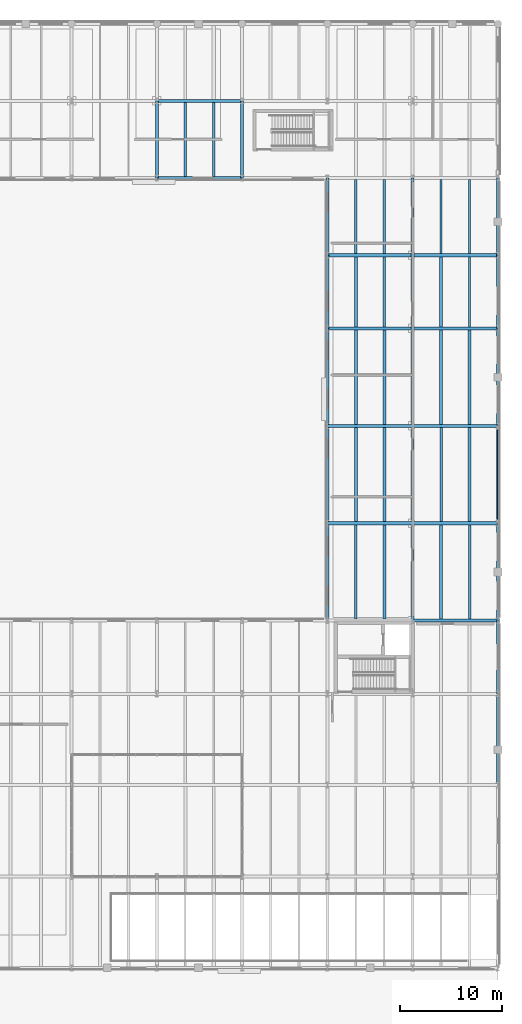
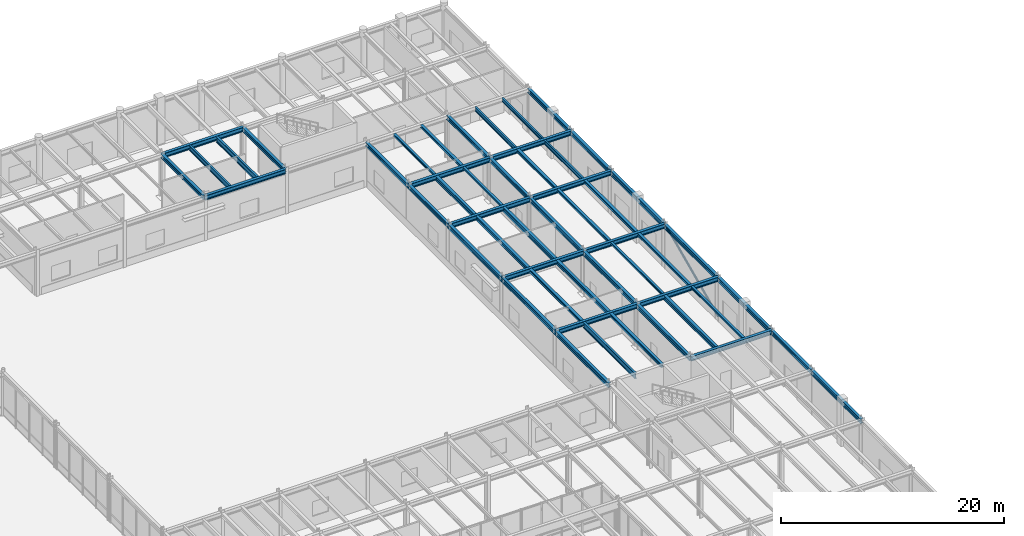
# One storey, part 30 of 64: 52 beams, 1 member.
"""IFC4 building model written with IfcOpenShell, lengths in metres."""

from ifc_helpers import new_model, si_unit, direction, frame, origin, origin_2d, place, context, subcontext, project, spatial, hollow_circle, i_section, extrude, material, material_profile, profile_set, type_object, element, save


model = new_model("IFC4")

# Units and contexts
model_context = context("Model", 3, precision=1e-05, world=origin(), true_north=direction((0.0, 1.0)))
body_context = subcontext(model_context, "Body", "Model", "MODEL_VIEW")
ifc_project = project(units=[si_unit("LENGTHUNIT", "METRE"), si_unit("AREAUNIT", "SQUARE_METRE"), si_unit("VOLUMEUNIT", "CUBIC_METRE"), si_unit("PLANEANGLEUNIT", "RADIAN"), si_unit("MASSUNIT", "GRAM", prefix="KILO")], contexts=[model_context])

# Site, building, storey
site_placement = place(None, origin())
site = spatial("IfcSite", under=ifc_project, at=site_placement, CompositionType="ELEMENT")
building_placement = place(site_placement, origin())
building = spatial("IfcBuilding", under=site, at=building_placement, Name="Montealbar Specialist Clinic", CompositionType="ELEMENT")
storey_placement = place(building_placement, origin())
storey = spatial("IfcBuildingStorey", under=building, at=storey_placement, Name="L00", CompositionType="ELEMENT", Elevation=0.0)

# Beams
ifc_material = material(Name="Steel S355", Category="steel")
ifc_material_profile_1 = material_profile(ifc_material, i_section(OverallWidth=0.300048828125, OverallDepth=0.449951171875, WebThickness=0.013916015625, FlangeThickness=0.02587890625, FilletRadius=0.027099609375, at=origin_2d()), Name="HEB 450", Category="steel")
ifc_profile_set_1 = profile_set([ifc_material_profile_1], Name="Steel S355")
beam_type_1 = type_object("IfcBeamType", Name="BM-GIRD-HEB450", PredefinedType="BEAM", material=ifc_profile_set_1)
for number, where, z_axis, x_axis, name in (
    (1, (128.39990234375, 95.800048828125, 4.5849609375), (0.0, 1.0, 0.0), (-1.0, 0.0, 0.0), "Beam GY-L00-1284-958-1034"),
    (2, (136.800048828125, 95.800048828125, 4.5849609375), (0.0, 1.0, 0.0), (-1.0, 0.0, 0.0), "Beam GY-L00-1368-958-1034"),
):
    element("IfcBeam", number, at=place(storey_placement, frame(where, z_axis=z_axis, x_axis=x_axis)), inside=storey, type_object=beam_type_1, Name=name, PredefinedType="BEAM", context=body_context, shape_type="SweptSolid", body=[
        extrude(i_section(OverallWidth=0.300048828125, OverallDepth=0.449951171875, WebThickness=0.013916015625, FlangeThickness=0.02587890625, FilletRadius=0.027099609375, at=origin_2d()), origin(), (0.0, 0.0, 1.0), 7.599853515625),
    ])
beam_1_placement = place(storey_placement, frame((153.60009765625, 81.0, 4.5849609375), z_axis=(0.0, 1.0, 0.0), x_axis=(-1.0, 0.0, 0.0)))
element("IfcBeam", 3, at=beam_1_placement, inside=storey, type_object=beam_type_1, Name="Beam GY-L00-1536-810-882", PredefinedType="BEAM", context=body_context, shape_type="SweptSolid", body=[
    extrude(i_section(OverallWidth=0.300048828125, OverallDepth=0.449951171875, WebThickness=0.013916015625, FlangeThickness=0.02587890625, FilletRadius=0.027099609375, at=origin_2d()), origin(), (0.0, 0.0, 1.0), 7.199951171875),
])
ifc_material_profile_2 = material_profile(ifc_material, i_section(OverallWidth=0.300048828125, OverallDepth=0.449951171875, WebThickness=0.013916015625, FlangeThickness=0.02587890625, FilletRadius=0.027099609375, at=origin_2d()), Name="HEB 450", Category="steel")
ifc_profile_set_2 = profile_set([ifc_material_profile_2], Name="Steel S355")
beam_type_2 = type_object("IfcBeamType", Name="BM-GIRD-HEB450-EXT", PredefinedType="BEAM", material=ifc_profile_set_2)
beam_2_placement = place(storey_placement, frame((145.199951171875, 81.0, 4.5849609375), z_axis=(0.0, 1.0, 0.0), x_axis=(-1.0, 0.0, 0.0)))
element("IfcBeam", 4, at=beam_2_placement, inside=storey, type_object=beam_type_2, Name="Beam GY-L00-1452-810-882", PredefinedType="BEAM", context=body_context, shape_type="SweptSolid", body=[
    extrude(i_section(OverallWidth=0.300048828125, OverallDepth=0.449951171875, WebThickness=0.013916015625, FlangeThickness=0.02587890625, FilletRadius=0.027099609375, at=origin_2d()), origin(), (0.0, 0.0, 1.0), 7.199951171875),
])
for number, where, z_axis, x_axis, name in (
    (5, (145.199951171875, 88.199951171875, 4.5849609375), (0.0, 1.0, 0.0), (-1.0, 0.0, 0.0), "Beam GY-L00-1452-882-958"),
    (6, (153.60009765625, 88.199951171875, 4.5849609375), (0.0, 1.0, 0.0), (-1.0, 0.0, 0.0), "Beam GY-L00-1536-882-958"),
):
    element("IfcBeam", number, at=place(storey_placement, frame(where, z_axis=z_axis, x_axis=x_axis)), inside=storey, type_object=beam_type_2, Name=name, PredefinedType="BEAM", context=body_context, shape_type="SweptSolid", body=[
        extrude(i_section(OverallWidth=0.300048828125, OverallDepth=0.449951171875, WebThickness=0.013916015625, FlangeThickness=0.02587890625, FilletRadius=0.027099609375, at=origin_2d()), origin(), (0.0, 0.0, 1.0), 7.60009765625),
    ])
for number, where, z_axis, x_axis, name in (
    (7, (162.0, 45.0, 4.5849609375), (0.0, 1.0, 0.0), (-1.0, 0.0, 0.0), "Beam GY-L00-1620-450-522"),
    (8, (162.0, 81.0, 4.5849609375), (0.0, 1.0, 0.0), (-1.0, 0.0, 0.0), "Beam GY-L00-1620-810-882"),
):
    element("IfcBeam", number, at=place(storey_placement, frame(where, z_axis=z_axis, x_axis=x_axis)), inside=storey, type_object=beam_type_2, Name=name, PredefinedType="BEAM", context=body_context, shape_type="SweptSolid", body=[
        extrude(i_section(OverallWidth=0.300048828125, OverallDepth=0.449951171875, WebThickness=0.013916015625, FlangeThickness=0.02587890625, FilletRadius=0.027099609375, at=origin_2d()), origin(), (0.0, 0.0, 1.0), 7.199951171875),
    ])
beam_3_placement = place(storey_placement, frame((162.0, 88.199951171875, 4.5849609375), z_axis=(0.0, 1.0, 0.0), x_axis=(-1.0, 0.0, 0.0)))
element("IfcBeam", 9, at=beam_3_placement, inside=storey, type_object=beam_type_2, Name="Beam GY-L00-1620-882-958", PredefinedType="BEAM", context=body_context, shape_type="SweptSolid", body=[
    extrude(i_section(OverallWidth=0.300048828125, OverallDepth=0.449951171875, WebThickness=0.013916015625, FlangeThickness=0.02587890625, FilletRadius=0.027099609375, at=origin_2d()), origin(), (0.0, 0.0, 1.0), 7.60009765625),
])
ifc_material_profile_3 = material_profile(ifc_material, i_section(OverallWidth=0.300048828125, OverallDepth=0.5, WebThickness=0.014404296875, FlangeThickness=0.028076171875, FilletRadius=0.027099609375, at=origin_2d()), Name="HEB 500", Category="steel")
ifc_profile_set_3 = profile_set([ifc_material_profile_3], Name="Steel S355")
beam_type_3 = type_object("IfcBeamType", Name="BM-GIRD-HEB500", PredefinedType="BEAM", material=ifc_profile_set_3)
beam_4_placement = place(storey_placement, frame((153.60009765625, 52.199951171875, 4.56005859375), z_axis=(1.0, 0.0, 0.0), x_axis=(0.0, 1.0, 0.0)))
element("IfcBeam", 10, at=beam_4_placement, inside=storey, type_object=beam_type_3, Name="Beam GX-L00-1536-1620-522", PredefinedType="BEAM", context=body_context, shape_type="SweptSolid", body=[
    extrude(i_section(OverallWidth=0.300048828125, OverallDepth=0.5, WebThickness=0.014404296875, FlangeThickness=0.028076171875, FilletRadius=0.027099609375, at=origin_2d()), origin(), (0.0, 0.0, 1.0), 8.39990234375),
])
beam_5_placement = place(storey_placement, frame((145.199951171875, 61.800048828125, 4.56005859375), z_axis=(1.0, 0.0, 0.0), x_axis=(0.0, 1.0, 0.0)))
element("IfcBeam", 11, at=beam_5_placement, inside=storey, type_object=beam_type_3, Name="Beam GX-L00-1452-1536-618", PredefinedType="BEAM", context=body_context, shape_type="SweptSolid", body=[
    extrude(i_section(OverallWidth=0.300048828125, OverallDepth=0.5, WebThickness=0.014404296875, FlangeThickness=0.028076171875, FilletRadius=0.027099609375, at=origin_2d()), origin(), (0.0, 0.0, 1.0), 8.400146484375),
])
beam_6_placement = place(storey_placement, frame((153.60009765625, 61.800048828125, 4.56005859375), z_axis=(1.0, 0.0, 0.0), x_axis=(0.0, 1.0, 0.0)))
element("IfcBeam", 12, at=beam_6_placement, inside=storey, type_object=beam_type_3, Name="Beam GX-L00-1536-1620-618", PredefinedType="BEAM", context=body_context, shape_type="SweptSolid", body=[
    extrude(i_section(OverallWidth=0.300048828125, OverallDepth=0.5, WebThickness=0.014404296875, FlangeThickness=0.028076171875, FilletRadius=0.027099609375, at=origin_2d()), origin(), (0.0, 0.0, 1.0), 8.39990234375),
])
beam_7_placement = place(storey_placement, frame((145.199951171875, 71.39990234375, 4.56005859375), z_axis=(1.0, 0.0, 0.0), x_axis=(0.0, 1.0, 0.0)))
element("IfcBeam", 13, at=beam_7_placement, inside=storey, type_object=beam_type_3, Name="Beam GX-L00-1452-1536-714", PredefinedType="BEAM", context=body_context, shape_type="SweptSolid", body=[
    extrude(i_section(OverallWidth=0.300048828125, OverallDepth=0.5, WebThickness=0.014404296875, FlangeThickness=0.028076171875, FilletRadius=0.027099609375, at=origin_2d()), origin(), (0.0, 0.0, 1.0), 8.400146484375),
])
beam_8_placement = place(storey_placement, frame((153.60009765625, 71.39990234375, 4.56005859375), z_axis=(1.0, 0.0, 0.0), x_axis=(0.0, 1.0, 0.0)))
element("IfcBeam", 14, at=beam_8_placement, inside=storey, type_object=beam_type_3, Name="Beam GX-L00-1536-1620-714", PredefinedType="BEAM", context=body_context, shape_type="SweptSolid", body=[
    extrude(i_section(OverallWidth=0.300048828125, OverallDepth=0.5, WebThickness=0.014404296875, FlangeThickness=0.028076171875, FilletRadius=0.027099609375, at=origin_2d()), origin(), (0.0, 0.0, 1.0), 8.39990234375),
])
beam_9_placement = place(storey_placement, frame((145.199951171875, 81.0, 4.56005859375), z_axis=(1.0, 0.0, 0.0), x_axis=(0.0, 1.0, 0.0)))
element("IfcBeam", 15, at=beam_9_placement, inside=storey, type_object=beam_type_3, Name="Beam GX-L00-1452-1536-810", PredefinedType="BEAM", context=body_context, shape_type="SweptSolid", body=[
    extrude(i_section(OverallWidth=0.300048828125, OverallDepth=0.5, WebThickness=0.014404296875, FlangeThickness=0.028076171875, FilletRadius=0.027099609375, at=origin_2d()), origin(), (0.0, 0.0, 1.0), 8.400146484375),
])
beam_10_placement = place(storey_placement, frame((153.60009765625, 81.0, 4.56005859375), z_axis=(1.0, 0.0, 0.0), x_axis=(0.0, 1.0, 0.0)))
element("IfcBeam", 16, at=beam_10_placement, inside=storey, type_object=beam_type_3, Name="Beam GX-L00-1536-1620-810", PredefinedType="BEAM", context=body_context, shape_type="SweptSolid", body=[
    extrude(i_section(OverallWidth=0.300048828125, OverallDepth=0.5, WebThickness=0.014404296875, FlangeThickness=0.028076171875, FilletRadius=0.027099609375, at=origin_2d()), origin(), (0.0, 0.0, 1.0), 8.39990234375),
])
beam_11_placement = place(storey_placement, frame((128.39990234375, 103.39990234375, 4.56005859375), z_axis=(1.0, 0.0, 0.0), x_axis=(0.0, 1.0, 0.0)))
element("IfcBeam", 17, at=beam_11_placement, inside=storey, type_object=beam_type_3, Name="Beam GX-L00-1284-1368-1034", PredefinedType="BEAM", context=body_context, shape_type="SweptSolid", body=[
    extrude(i_section(OverallWidth=0.300048828125, OverallDepth=0.5, WebThickness=0.014404296875, FlangeThickness=0.028076171875, FilletRadius=0.027099609375, at=origin_2d()), origin(), (0.0, 0.0, 1.0), 8.400146484375),
])
beam_12_placement = place(storey_placement, frame((153.60009765625, 52.199951171875, 4.56005859375), z_axis=(0.0, 1.0, 0.0), x_axis=(-1.0, 0.0, 0.0)))
element("IfcBeam", 18, at=beam_12_placement, inside=storey, type_object=beam_type_3, Name="Beam GY-L00-1536-522-618", PredefinedType="BEAM", context=body_context, shape_type="SweptSolid", body=[
    extrude(i_section(OverallWidth=0.300048828125, OverallDepth=0.5, WebThickness=0.014404296875, FlangeThickness=0.028076171875, FilletRadius=0.027099609375, at=origin_2d()), origin(), (0.0, 0.0, 1.0), 9.60009765625),
])
beam_13_placement = place(storey_placement, frame((153.60009765625, 61.800048828125, 4.56005859375), z_axis=(0.0, 1.0, 0.0), x_axis=(-1.0, 0.0, 0.0)))
element("IfcBeam", 19, at=beam_13_placement, inside=storey, type_object=beam_type_3, Name="Beam GY-L00-1536-618-714", PredefinedType="BEAM", context=body_context, shape_type="SweptSolid", body=[
    extrude(i_section(OverallWidth=0.300048828125, OverallDepth=0.5, WebThickness=0.014404296875, FlangeThickness=0.028076171875, FilletRadius=0.027099609375, at=origin_2d()), origin(), (0.0, 0.0, 1.0), 9.599853515625),
])
beam_14_placement = place(storey_placement, frame((153.60009765625, 71.39990234375, 4.56005859375), z_axis=(0.0, 1.0, 0.0), x_axis=(-1.0, 0.0, 0.0)))
element("IfcBeam", 20, at=beam_14_placement, inside=storey, type_object=beam_type_3, Name="Beam GY-L00-1536-714-810", PredefinedType="BEAM", context=body_context, shape_type="SweptSolid", body=[
    extrude(i_section(OverallWidth=0.300048828125, OverallDepth=0.5, WebThickness=0.014404296875, FlangeThickness=0.028076171875, FilletRadius=0.027099609375, at=origin_2d()), origin(), (0.0, 0.0, 1.0), 9.60009765625),
])
ifc_material_profile_4 = material_profile(ifc_material, i_section(OverallWidth=0.300048828125, OverallDepth=0.5, WebThickness=0.014404296875, FlangeThickness=0.028076171875, FilletRadius=0.027099609375, at=origin_2d()), Name="HEB 500", Category="steel")
ifc_profile_set_4 = profile_set([ifc_material_profile_4], Name="Steel S355")
beam_type_4 = type_object("IfcBeamType", Name="BM-GIRD-HEB500-EXT", PredefinedType="BEAM", material=ifc_profile_set_4)
beam_15_placement = place(storey_placement, frame((145.199951171875, 88.199951171875, 4.56005859375), z_axis=(1.0, 0.0, 0.0), x_axis=(0.0, 1.0, 0.0)))
element("IfcBeam", 21, at=beam_15_placement, inside=storey, type_object=beam_type_4, Name="Beam GX-L00-1452-1536-882", PredefinedType="BEAM", context=body_context, shape_type="SweptSolid", body=[
    extrude(i_section(OverallWidth=0.300048828125, OverallDepth=0.5, WebThickness=0.014404296875, FlangeThickness=0.028076171875, FilletRadius=0.027099609375, at=origin_2d()), origin(), (0.0, 0.0, 1.0), 8.400146484375),
])
beam_16_placement = place(storey_placement, frame((153.60009765625, 88.199951171875, 4.56005859375), z_axis=(1.0, 0.0, 0.0), x_axis=(0.0, 1.0, 0.0)))
element("IfcBeam", 22, at=beam_16_placement, inside=storey, type_object=beam_type_4, Name="Beam GX-L00-1536-1620-882", PredefinedType="BEAM", context=body_context, shape_type="SweptSolid", body=[
    extrude(i_section(OverallWidth=0.300048828125, OverallDepth=0.5, WebThickness=0.014404296875, FlangeThickness=0.028076171875, FilletRadius=0.027099609375, at=origin_2d()), origin(), (0.0, 0.0, 1.0), 8.39990234375),
])
beam_17_placement = place(storey_placement, frame((128.39990234375, 95.800048828125, 4.56005859375), z_axis=(1.0, 0.0, 0.0), x_axis=(0.0, 1.0, 0.0)))
element("IfcBeam", 23, at=beam_17_placement, inside=storey, type_object=beam_type_4, Name="Beam GX-L00-1284-1368-958", PredefinedType="BEAM", context=body_context, shape_type="SweptSolid", body=[
    extrude(i_section(OverallWidth=0.300048828125, OverallDepth=0.5, WebThickness=0.014404296875, FlangeThickness=0.028076171875, FilletRadius=0.027099609375, at=origin_2d()), origin(), (0.0, 0.0, 1.0), 8.400146484375),
])
beam_18_placement = place(storey_placement, frame((145.199951171875, 52.199951171875, 4.56005859375), z_axis=(0.0, 1.0, 0.0), x_axis=(-1.0, 0.0, 0.0)))
element("IfcBeam", 24, at=beam_18_placement, inside=storey, type_object=beam_type_4, Name="Beam GY-L00-1452-522-618", PredefinedType="BEAM", context=body_context, shape_type="SweptSolid", body=[
    extrude(i_section(OverallWidth=0.300048828125, OverallDepth=0.5, WebThickness=0.014404296875, FlangeThickness=0.028076171875, FilletRadius=0.027099609375, at=origin_2d()), origin(), (0.0, 0.0, 1.0), 9.60009765625),
])
beam_19_placement = place(storey_placement, frame((145.199951171875, 61.800048828125, 4.56005859375), z_axis=(0.0, 1.0, 0.0), x_axis=(-1.0, 0.0, 0.0)))
element("IfcBeam", 25, at=beam_19_placement, inside=storey, type_object=beam_type_4, Name="Beam GY-L00-1452-618-714", PredefinedType="BEAM", context=body_context, shape_type="SweptSolid", body=[
    extrude(i_section(OverallWidth=0.300048828125, OverallDepth=0.5, WebThickness=0.014404296875, FlangeThickness=0.028076171875, FilletRadius=0.027099609375, at=origin_2d()), origin(), (0.0, 0.0, 1.0), 9.599853515625),
])
beam_20_placement = place(storey_placement, frame((145.199951171875, 71.39990234375, 4.56005859375), z_axis=(0.0, 1.0, 0.0), x_axis=(-1.0, 0.0, 0.0)))
element("IfcBeam", 26, at=beam_20_placement, inside=storey, type_object=beam_type_4, Name="Beam GY-L00-1452-714-810", PredefinedType="BEAM", context=body_context, shape_type="SweptSolid", body=[
    extrude(i_section(OverallWidth=0.300048828125, OverallDepth=0.5, WebThickness=0.014404296875, FlangeThickness=0.028076171875, FilletRadius=0.027099609375, at=origin_2d()), origin(), (0.0, 0.0, 1.0), 9.60009765625),
])
beam_21_placement = place(storey_placement, frame((162.0, 36.0, 4.56005859375), z_axis=(0.0, 1.0, 0.0), x_axis=(-1.0, 0.0, 0.0)))
element("IfcBeam", 27, at=beam_21_placement, inside=storey, type_object=beam_type_4, Name="Beam GY-L00-1620-360-450", PredefinedType="BEAM", context=body_context, shape_type="SweptSolid", body=[
    extrude(i_section(OverallWidth=0.300048828125, OverallDepth=0.5, WebThickness=0.014404296875, FlangeThickness=0.028076171875, FilletRadius=0.027099609375, at=origin_2d()), origin(), (0.0, 0.0, 1.0), 9.0),
])
beam_22_placement = place(storey_placement, frame((162.0, 52.199951171875, 4.56005859375), z_axis=(0.0, 1.0, 0.0), x_axis=(-1.0, 0.0, 0.0)))
element("IfcBeam", 28, at=beam_22_placement, inside=storey, type_object=beam_type_4, Name="Beam GY-L00-1620-522-618", PredefinedType="BEAM", context=body_context, shape_type="SweptSolid", body=[
    extrude(i_section(OverallWidth=0.300048828125, OverallDepth=0.5, WebThickness=0.014404296875, FlangeThickness=0.028076171875, FilletRadius=0.027099609375, at=origin_2d()), origin(), (0.0, 0.0, 1.0), 9.60009765625),
])
beam_23_placement = place(storey_placement, frame((162.0, 61.800048828125, 4.56005859375), z_axis=(0.0, 1.0, 0.0), x_axis=(-1.0, 0.0, 0.0)))
element("IfcBeam", 29, at=beam_23_placement, inside=storey, type_object=beam_type_4, Name="Beam GY-L00-1620-618-714", PredefinedType="BEAM", context=body_context, shape_type="SweptSolid", body=[
    extrude(i_section(OverallWidth=0.300048828125, OverallDepth=0.5, WebThickness=0.014404296875, FlangeThickness=0.028076171875, FilletRadius=0.027099609375, at=origin_2d()), origin(), (0.0, 0.0, 1.0), 9.599853515625),
])
beam_24_placement = place(storey_placement, frame((162.0, 71.39990234375, 4.56005859375), z_axis=(0.0, 1.0, 0.0), x_axis=(-1.0, 0.0, 0.0)))
element("IfcBeam", 30, at=beam_24_placement, inside=storey, type_object=beam_type_4, Name="Beam GY-L00-1620-714-810", PredefinedType="BEAM", context=body_context, shape_type="SweptSolid", body=[
    extrude(i_section(OverallWidth=0.300048828125, OverallDepth=0.5, WebThickness=0.014404296875, FlangeThickness=0.028076171875, FilletRadius=0.027099609375, at=origin_2d()), origin(), (0.0, 0.0, 1.0), 9.60009765625),
])
ifc_material_profile_5 = material_profile(ifc_material, i_section(OverallWidth=0.300048828125, OverallDepth=0.35009765625, WebThickness=0.010009765625, FlangeThickness=0.017578125, FilletRadius=0.027099609375, at=origin_2d()), Name="HEA 360", Category="steel")
ifc_profile_set_5 = profile_set([ifc_material_profile_5], Name="Steel S355")
beam_type_5 = type_object("IfcBeamType", Name="BM-JST-HEA360", PredefinedType="JOIST", material=ifc_profile_set_5)
beam_25_placement = place(storey_placement, frame((150.800048828125, 52.35009765625, 4.635009765625), z_axis=(0.0, 1.0, 0.0), x_axis=(-1.0, 0.0, 0.0)))
element("IfcBeam", 31, at=beam_25_placement, inside=storey, type_object=beam_type_5, Name="Beam JST-L00-1508-524-616", PredefinedType="JOIST", context=body_context, shape_type="SweptSolid", body=[
    extrude(i_section(OverallWidth=0.300048828125, OverallDepth=0.35009765625, WebThickness=0.010009765625, FlangeThickness=0.017578125, FilletRadius=0.027099609375, at=origin_2d()), origin(), (0.0, 0.0, 1.0), 9.2998046875),
])
beam_26_placement = place(storey_placement, frame((148.0, 61.949951171875, 4.635009765625), z_axis=(0.0, 1.0, 0.0), x_axis=(-1.0, 0.0, 0.0)))
element("IfcBeam", 32, at=beam_26_placement, inside=storey, type_object=beam_type_5, Name="Beam JST-L00-1480-620-712", PredefinedType="JOIST", context=body_context, shape_type="SweptSolid", body=[
    extrude(i_section(OverallWidth=0.300048828125, OverallDepth=0.35009765625, WebThickness=0.010009765625, FlangeThickness=0.017578125, FilletRadius=0.027099609375, at=origin_2d()), origin(), (0.0, 0.0, 1.0), 9.300048828125),
])
ifc_material_profile_6 = material_profile(ifc_material, i_section(OverallWidth=0.300048828125, OverallDepth=0.43994140625, WebThickness=0.011474609375, FlangeThickness=0.02099609375, FilletRadius=0.027099609375, at=origin_2d()), Name="HEA 450", Category="steel")
ifc_profile_set_6 = profile_set([ifc_material_profile_6], Name="Steel S355")
beam_type_6 = type_object("IfcBeamType", Name="BM-JST-HEA450", PredefinedType="JOIST", material=ifc_profile_set_6)
for number, where, z_axis, x_axis, name in (
    (33, (150.800048828125, 61.949951171875, 4.590087890625), (0.0, 1.0, 0.0), (-1.0, 0.0, 0.0), "Beam JST-L00-1508-620-712"),
    (34, (148.0, 71.550048828125, 4.590087890625), (0.0, 1.0, 0.0), (-1.0, 0.0, 0.0), "Beam JST-L00-1480-716-808"),
):
    element("IfcBeam", number, at=place(storey_placement, frame(where, z_axis=z_axis, x_axis=x_axis)), inside=storey, type_object=beam_type_6, Name=name, PredefinedType="JOIST", context=body_context, shape_type="SweptSolid", body=[
        extrude(i_section(OverallWidth=0.300048828125, OverallDepth=0.43994140625, WebThickness=0.011474609375, FlangeThickness=0.02099609375, FilletRadius=0.027099609375, at=origin_2d()), origin(), (0.0, 0.0, 1.0), 9.300048828125),
    ])
ifc_material_profile_7 = material_profile(ifc_material, i_section(OverallWidth=0.300048828125, OverallDepth=0.489990234375, WebThickness=0.011962890625, FlangeThickness=0.02294921875, FilletRadius=0.027099609375, at=origin_2d()), Name="HEA 500", Category="steel")
ifc_profile_set_7 = profile_set([ifc_material_profile_7], Name="Steel S355")
beam_type_7 = type_object("IfcBeamType", Name="BM-JST-HEA500", PredefinedType="JOIST", material=ifc_profile_set_7)
beam_27_placement = place(storey_placement, frame((150.800048828125, 71.550048828125, 4.56494140625), z_axis=(0.0, 1.0, 0.0), x_axis=(-1.0, 0.0, 0.0)))
element("IfcBeam", 35, at=beam_27_placement, inside=storey, type_object=beam_type_7, Name="Beam JST-L00-1508-716-808", PredefinedType="JOIST", context=body_context, shape_type="SweptSolid", body=[
    extrude(i_section(OverallWidth=0.300048828125, OverallDepth=0.489990234375, WebThickness=0.011962890625, FlangeThickness=0.02294921875, FilletRadius=0.027099609375, at=origin_2d()), origin(), (0.0, 0.0, 1.0), 9.300048828125),
])
beam_28_placement = place(storey_placement, frame((148.0, 81.14990234375, 4.56494140625), z_axis=(0.0, 1.0, 0.0), x_axis=(-1.0, 0.0, 0.0)))
element("IfcBeam", 36, at=beam_28_placement, inside=storey, type_object=beam_type_7, Name="Beam JST-L00-1480-812-880", PredefinedType="JOIST", context=body_context, shape_type="SweptSolid", body=[
    extrude(i_section(OverallWidth=0.300048828125, OverallDepth=0.489990234375, WebThickness=0.011962890625, FlangeThickness=0.02294921875, FilletRadius=0.027099609375, at=origin_2d()), origin(), (0.0, 0.0, 1.0), 6.900146484375),
])
beam_29_placement = place(storey_placement, frame((156.39990234375, 52.35009765625, 4.56494140625), z_axis=(0.0, 1.0, 0.0), x_axis=(-1.0, 0.0, 0.0)))
element("IfcBeam", 37, at=beam_29_placement, inside=storey, type_object=beam_type_7, Name="Beam JST-L00-1564-524-616", PredefinedType="JOIST", context=body_context, shape_type="SweptSolid", body=[
    extrude(i_section(OverallWidth=0.300048828125, OverallDepth=0.489990234375, WebThickness=0.011962890625, FlangeThickness=0.02294921875, FilletRadius=0.027099609375, at=origin_2d()), origin(), (0.0, 0.0, 1.0), 9.2998046875),
])
ifc_material_profile_8 = material_profile(ifc_material, i_section(OverallWidth=0.239990234375, OverallDepth=0.239990234375, WebThickness=0.010009765625, FlangeThickness=0.01708984375, FilletRadius=0.02099609375, at=origin_2d()), Name="HEB 240", Category="steel")
ifc_profile_set_8 = profile_set([ifc_material_profile_8], Name="Steel S355")
beam_type_8 = type_object("IfcBeamType", Name="BM-JST-HEB240", PredefinedType="JOIST", material=ifc_profile_set_8)
beam_30_placement = place(storey_placement, frame((150.800048828125, 81.14990234375, 4.68994140625), z_axis=(0.0, 1.0, 0.0), x_axis=(-1.0, 0.0, 0.0)))
element("IfcBeam", 38, at=beam_30_placement, inside=storey, type_object=beam_type_8, Name="Beam JST-L00-1508-812-880", PredefinedType="JOIST", context=body_context, shape_type="SweptSolid", body=[
    extrude(i_section(OverallWidth=0.239990234375, OverallDepth=0.239990234375, WebThickness=0.010009765625, FlangeThickness=0.01708984375, FilletRadius=0.02099609375, at=origin_2d()), origin(), (0.0, 0.0, 1.0), 6.900146484375),
])
beam_31_placement = place(storey_placement, frame((148.0, 88.35009765625, 4.68994140625), z_axis=(0.0, 1.0, 0.0), x_axis=(-1.0, 0.0, 0.0)))
element("IfcBeam", 39, at=beam_31_placement, inside=storey, type_object=beam_type_8, Name="Beam JST-L00-1480-884-956", PredefinedType="JOIST", context=body_context, shape_type="SweptSolid", body=[
    extrude(i_section(OverallWidth=0.239990234375, OverallDepth=0.239990234375, WebThickness=0.010009765625, FlangeThickness=0.01708984375, FilletRadius=0.02099609375, at=origin_2d()), origin(), (0.0, 0.0, 1.0), 7.2998046875),
])
beam_32_placement = place(storey_placement, frame((159.199951171875, 52.35009765625, 4.68994140625), z_axis=(0.0, 1.0, 0.0), x_axis=(-1.0, 0.0, 0.0)))
element("IfcBeam", 40, at=beam_32_placement, inside=storey, type_object=beam_type_8, Name="Beam JST-L00-1592-524-616", PredefinedType="JOIST", context=body_context, shape_type="SweptSolid", body=[
    extrude(i_section(OverallWidth=0.239990234375, OverallDepth=0.239990234375, WebThickness=0.010009765625, FlangeThickness=0.01708984375, FilletRadius=0.02099609375, at=origin_2d()), origin(), (0.0, 0.0, 1.0), 9.2998046875),
])
beam_33_placement = place(storey_placement, frame((156.39990234375, 61.949951171875, 4.68994140625), z_axis=(0.0, 1.0, 0.0), x_axis=(-1.0, 0.0, 0.0)))
element("IfcBeam", 41, at=beam_33_placement, inside=storey, type_object=beam_type_8, Name="Beam JST-L00-1564-620-712", PredefinedType="JOIST", context=body_context, shape_type="SweptSolid", body=[
    extrude(i_section(OverallWidth=0.239990234375, OverallDepth=0.239990234375, WebThickness=0.010009765625, FlangeThickness=0.01708984375, FilletRadius=0.02099609375, at=origin_2d()), origin(), (0.0, 0.0, 1.0), 9.300048828125),
])
ifc_material_profile_9 = material_profile(ifc_material, i_section(OverallWidth=0.280029296875, OverallDepth=0.280029296875, WebThickness=0.010498046875, FlangeThickness=0.01806640625, FilletRadius=0.02392578125, at=origin_2d()), Name="HEB 280", Category="steel")
ifc_profile_set_9 = profile_set([ifc_material_profile_9], Name="Steel S355")
beam_type_9 = type_object("IfcBeamType", Name="BM-JST-HEB280", PredefinedType="JOIST", material=ifc_profile_set_9)
beam_34_placement = place(storey_placement, frame((150.800048828125, 88.35009765625, 4.669921875), z_axis=(0.0, 1.0, 0.0), x_axis=(-1.0, 0.0, 0.0)))
element("IfcBeam", 42, at=beam_34_placement, inside=storey, type_object=beam_type_9, Name="Beam JST-L00-1508-884-956", PredefinedType="JOIST", context=body_context, shape_type="SweptSolid", body=[
    extrude(i_section(OverallWidth=0.280029296875, OverallDepth=0.280029296875, WebThickness=0.010498046875, FlangeThickness=0.01806640625, FilletRadius=0.02392578125, at=origin_2d()), origin(), (0.0, 0.0, 1.0), 7.2998046875),
])
for number, where, z_axis, x_axis, name in (
    (43, (159.199951171875, 61.949951171875, 4.669921875), (0.0, 1.0, 0.0), (-1.0, 0.0, 0.0), "Beam JST-L00-1592-620-712"),
    (44, (156.39990234375, 71.550048828125, 4.669921875), (0.0, 1.0, 0.0), (-1.0, 0.0, 0.0), "Beam JST-L00-1564-716-808"),
):
    element("IfcBeam", number, at=place(storey_placement, frame(where, z_axis=z_axis, x_axis=x_axis)), inside=storey, type_object=beam_type_9, Name=name, PredefinedType="JOIST", context=body_context, shape_type="SweptSolid", body=[
        extrude(i_section(OverallWidth=0.280029296875, OverallDepth=0.280029296875, WebThickness=0.010498046875, FlangeThickness=0.01806640625, FilletRadius=0.02392578125, at=origin_2d()), origin(), (0.0, 0.0, 1.0), 9.300048828125),
    ])
ifc_material_profile_10 = material_profile(ifc_material, i_section(OverallWidth=0.300048828125, OverallDepth=0.320068359375, WebThickness=0.011474609375, FlangeThickness=0.0205078125, FilletRadius=0.027099609375, at=origin_2d()), Name="HEB 320", Category="steel")
ifc_profile_set_10 = profile_set([ifc_material_profile_10], Name="Steel S355")
beam_type_10 = type_object("IfcBeamType", Name="BM-JST-HEB320", PredefinedType="JOIST", material=ifc_profile_set_10)
beam_35_placement = place(storey_placement, frame((159.199951171875, 71.550048828125, 4.64990234375), z_axis=(0.0, 1.0, 0.0), x_axis=(-1.0, 0.0, 0.0)))
element("IfcBeam", 45, at=beam_35_placement, inside=storey, type_object=beam_type_10, Name="Beam JST-L00-1592-716-808", PredefinedType="JOIST", context=body_context, shape_type="SweptSolid", body=[
    extrude(i_section(OverallWidth=0.300048828125, OverallDepth=0.320068359375, WebThickness=0.011474609375, FlangeThickness=0.0205078125, FilletRadius=0.027099609375, at=origin_2d()), origin(), (0.0, 0.0, 1.0), 9.300048828125),
])
beam_36_placement = place(storey_placement, frame((156.39990234375, 81.14990234375, 4.64990234375), z_axis=(0.0, 1.0, 0.0), x_axis=(-1.0, 0.0, 0.0)))
element("IfcBeam", 46, at=beam_36_placement, inside=storey, type_object=beam_type_10, Name="Beam JST-L00-1564-812-880", PredefinedType="JOIST", context=body_context, shape_type="SweptSolid", body=[
    extrude(i_section(OverallWidth=0.300048828125, OverallDepth=0.320068359375, WebThickness=0.011474609375, FlangeThickness=0.0205078125, FilletRadius=0.027099609375, at=origin_2d()), origin(), (0.0, 0.0, 1.0), 6.900146484375),
])
ifc_material_profile_11 = material_profile(ifc_material, i_section(OverallWidth=0.2099609375, OverallDepth=0.550048828125, WebThickness=0.010986328125, FlangeThickness=0.01708984375, FilletRadius=0.02392578125, at=origin_2d()), Name="IPE 550", Category="steel")
ifc_profile_set_11 = profile_set([ifc_material_profile_11], Name="Steel S355")
beam_type_11 = type_object("IfcBeamType", Name="BM-JST-IPE550", PredefinedType="JOIST", material=ifc_profile_set_11)
beam_37_placement = place(storey_placement, frame((131.199951171875, 95.949951171875, 4.534912109375), z_axis=(0.0, 1.0, 0.0), x_axis=(-1.0, 0.0, 0.0)))
element("IfcBeam", 47, at=beam_37_placement, inside=storey, type_object=beam_type_11, Name="Beam JST-L00-1312-960-1032", PredefinedType="JOIST", context=body_context, shape_type="SweptSolid", body=[
    extrude(i_section(OverallWidth=0.2099609375, OverallDepth=0.550048828125, WebThickness=0.010986328125, FlangeThickness=0.01708984375, FilletRadius=0.02392578125, at=origin_2d()), origin(), (0.0, 0.0, 1.0), 7.300048828125),
])
ifc_material_profile_12 = material_profile(ifc_material, i_section(OverallWidth=0.219970703125, OverallDepth=0.60009765625, WebThickness=0.011962890625, FlangeThickness=0.01904296875, FilletRadius=0.02392578125, at=origin_2d()), Name="IPE 600", Category="steel")
ifc_profile_set_12 = profile_set([ifc_material_profile_12], Name="Steel S355")
beam_type_12 = type_object("IfcBeamType", Name="BM-JST-IPE600", PredefinedType="JOIST", material=ifc_profile_set_12)
beam_38_placement = place(storey_placement, frame((134.0, 95.949951171875, 4.510009765625), z_axis=(0.0, 1.0, 0.0), x_axis=(-1.0, 0.0, 0.0)))
element("IfcBeam", 48, at=beam_38_placement, inside=storey, type_object=beam_type_12, Name="Beam JST-L00-1340-960-1032", PredefinedType="JOIST", context=body_context, shape_type="SweptSolid", body=[
    extrude(i_section(OverallWidth=0.219970703125, OverallDepth=0.60009765625, WebThickness=0.011962890625, FlangeThickness=0.01904296875, FilletRadius=0.02392578125, at=origin_2d()), origin(), (0.0, 0.0, 1.0), 7.300048828125),
])
beam_39_placement = place(storey_placement, frame((148.0, 52.35009765625, 4.510009765625), z_axis=(0.0, 1.0, 0.0), x_axis=(-1.0, 0.0, 0.0)))
element("IfcBeam", 49, at=beam_39_placement, inside=storey, type_object=beam_type_12, Name="Beam JST-L00-1480-524-616", PredefinedType="JOIST", context=body_context, shape_type="SweptSolid", body=[
    extrude(i_section(OverallWidth=0.219970703125, OverallDepth=0.60009765625, WebThickness=0.011962890625, FlangeThickness=0.01904296875, FilletRadius=0.02392578125, at=origin_2d()), origin(), (0.0, 0.0, 1.0), 9.2998046875),
])
ifc_material_profile_13 = material_profile(ifc_material, i_section(OverallWidth=0.179931640625, OverallDepth=0.39990234375, WebThickness=0.008544921875, FlangeThickness=0.013427734375, FilletRadius=0.02099609375, at=origin_2d()), Name="IPE 400", Category="steel")
ifc_profile_set_13 = profile_set([ifc_material_profile_13], Name="Steel S355")
beam_type_13 = type_object("IfcBeamType", Name="BM-SEC-IPE400", PredefinedType="BEAM", material=ifc_profile_set_13)
beam_40_placement = place(storey_placement, frame((159.199951171875, 88.35009765625, 4.610107421875), z_axis=(0.0, 1.0, 0.0), x_axis=(-1.0, 0.0, 0.0)))
element("IfcBeam", 50, at=beam_40_placement, inside=storey, type_object=beam_type_13, Name="Beam JST-L00-1592-884-956", PredefinedType="BEAM", context=body_context, shape_type="SweptSolid", body=[
    extrude(i_section(OverallWidth=0.179931640625, OverallDepth=0.39990234375, WebThickness=0.008544921875, FlangeThickness=0.013427734375, FilletRadius=0.02099609375, at=origin_2d()), origin(), (0.0, 0.0, 1.0), 7.2998046875),
])
ifc_material_profile_14 = material_profile(ifc_material, i_section(OverallWidth=0.18994140625, OverallDepth=0.449951171875, WebThickness=0.009521484375, FlangeThickness=0.0146484375, FilletRadius=0.02099609375, at=origin_2d()), Name="IPE 450", Category="steel")
ifc_profile_set_14 = profile_set([ifc_material_profile_14], Name="Steel S355")
beam_type_14 = type_object("IfcBeamType", Name="BM-SEC-IPE450", PredefinedType="BEAM", material=ifc_profile_set_14)
beam_41_placement = place(storey_placement, frame((159.199951171875, 81.14990234375, 4.5849609375), z_axis=(0.0, 1.0, 0.0), x_axis=(-1.0, 0.0, 0.0)))
element("IfcBeam", 51, at=beam_41_placement, inside=storey, type_object=beam_type_14, Name="Beam JST-L00-1592-812-880", PredefinedType="BEAM", context=body_context, shape_type="SweptSolid", body=[
    extrude(i_section(OverallWidth=0.18994140625, OverallDepth=0.449951171875, WebThickness=0.009521484375, FlangeThickness=0.0146484375, FilletRadius=0.02099609375, at=origin_2d()), origin(), (0.0, 0.0, 1.0), 6.900146484375),
])
beam_42_placement = place(storey_placement, frame((156.39990234375, 88.35009765625, 4.5849609375), z_axis=(0.0, 1.0, 0.0), x_axis=(-1.0, 0.0, 0.0)))
element("IfcBeam", 52, at=beam_42_placement, inside=storey, type_object=beam_type_14, Name="Beam JST-L00-1564-884-956", PredefinedType="BEAM", context=body_context, shape_type="SweptSolid", body=[
    extrude(i_section(OverallWidth=0.18994140625, OverallDepth=0.449951171875, WebThickness=0.009521484375, FlangeThickness=0.0146484375, FilletRadius=0.02099609375, at=origin_2d()), origin(), (0.0, 0.0, 1.0), 7.2998046875),
])

# Member
ifc_material_profile_15 = material_profile(ifc_material, hollow_circle(Radius=0.109619140625, WallThickness=0.010009765625, at=origin_2d()), Name="CHS 219.1x10.0", Category="steel")
ifc_profile_set_15 = profile_set([ifc_material_profile_15], Name="Steel S355")
member_type = type_object("IfcMemberType", Name="MB-LAT-BRACE-B-EXT", PredefinedType="BRACE", material=ifc_profile_set_15)
member_placement = place(storey_placement, frame((162.0, 61.800048828125, 0.3798828125), z_axis=(0.0, 0.910132491875, 0.414317326735), x_axis=(-1.0, 0.0, 0.0)))
element("IfcMember", 53, at=member_placement, inside=storey, type_object=member_type, Name="Lateral frame brace LB-05", PredefinedType="BRACE", context=body_context, shape_type="SweptSolid", body=[
    extrude(hollow_circle(Radius=0.109619140625, WallThickness=0.010009765625, at=origin_2d()), origin(), (0.0, 0.0, 1.0), 10.5478515625),
])

save(model, "model.ifc")
